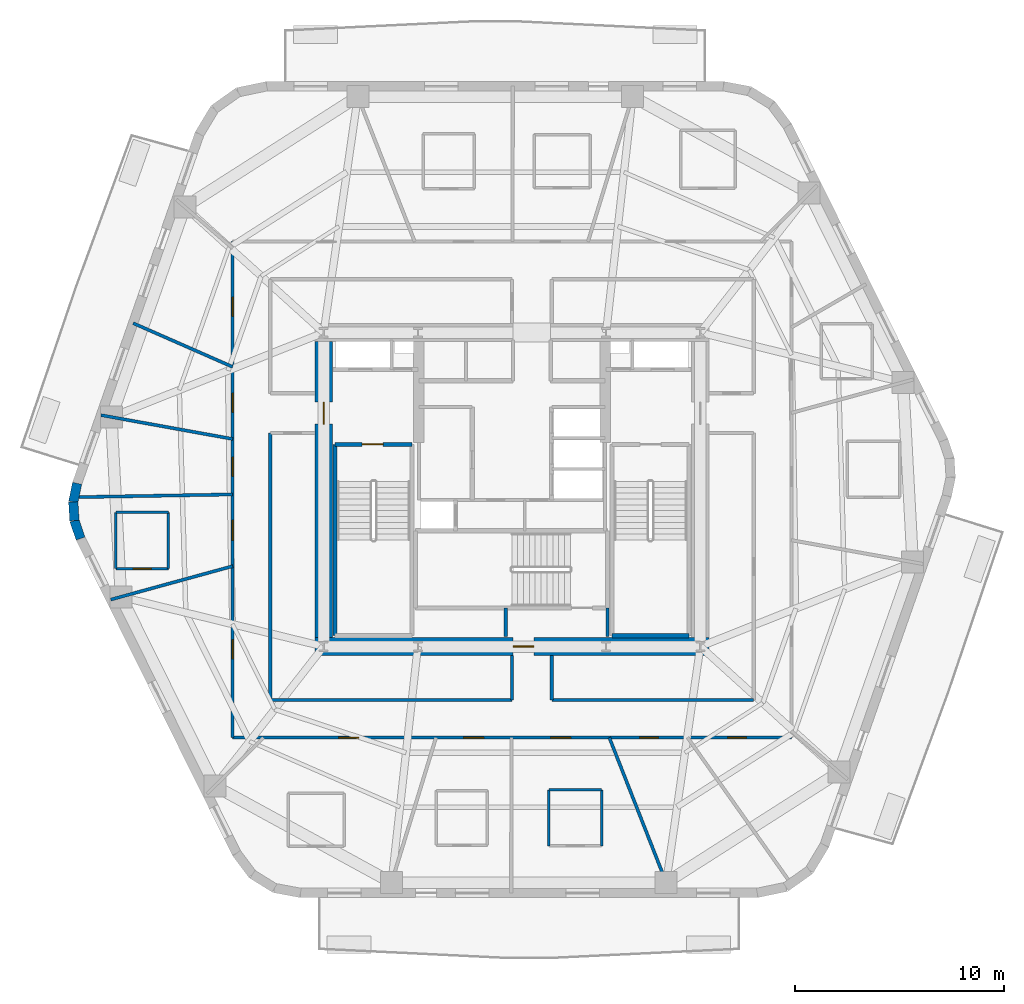
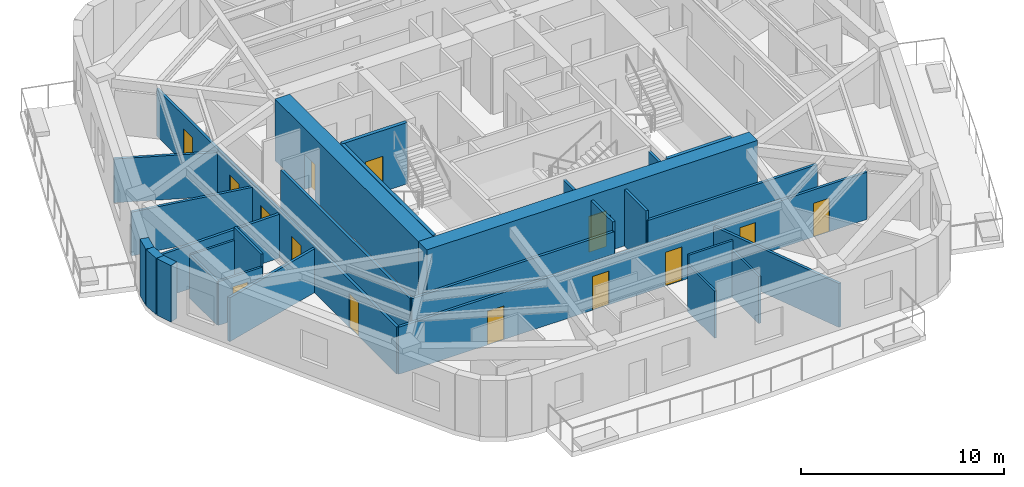
# One storey, part 3 of 11: 29 walls, 14 doors, 14 openings.
"""IFC4 building model written with IfcOpenShell, lengths in metres."""

from ifc_helpers import new_model, si_unit, direction, frame, frame_2d, origin, place, context, subcontext, project, spatial, rectangle, extrude, material, layer, layer_set, type_object, element, fill, save


model = new_model("IFC4")

# Units and contexts
model_context = context("Model", 3, precision=1e-05, world=origin(), true_north=direction((0.0, 1.0)))
body_context = subcontext(model_context, "Body", "Model", "MODEL_VIEW")
ifc_project = project(units=[si_unit("LENGTHUNIT", "METRE"), si_unit("AREAUNIT", "SQUARE_METRE"), si_unit("VOLUMEUNIT", "CUBIC_METRE"), si_unit("PLANEANGLEUNIT", "RADIAN"), si_unit("MASSUNIT", "GRAM", prefix="KILO")], contexts=[model_context])

# Site, building, storey
site_placement = place(None, origin())
site = spatial("IfcSite", under=ifc_project, at=site_placement, CompositionType="ELEMENT")
building_placement = place(site_placement, origin())
building = spatial("IfcBuilding", under=site, at=building_placement, Name="Kilnhurst Terrace Hotel", CompositionType="ELEMENT")
storey_placement = place(building_placement, frame((0.0, 0.0, 159.10009765625)))
storey = spatial("IfcBuildingStorey", under=building, at=storey_placement, Name="L39", CompositionType="ELEMENT", Elevation=159.10009765625)

# Walls
ifc_material_1 = material(Name="Precast concrete C40/50", Category="concrete")
ifc_layer_1 = layer(ifc_material_1, 0.449951171875, Name="Precast concrete C40/50")
ifc_layer_set_1 = layer_set([ifc_layer_1], Name="Precast concrete C40/50")
wall_type_1 = type_object("IfcWallType", Name="WL-BRK-450", PredefinedType="SOLIDWALL", material=ifc_layer_set_1)
wall_1_placement = place(storey_placement, frame((-20.78173828125, 0.298095703125, 0.0), z_axis=(0.0, 0.0, 1.0), x_axis=(-0.202570068411, -0.979267771033, 0.0)))
element("IfcWall", 1, at=wall_1_placement, inside=storey, type_object=wall_type_1, Name="L39 Rounded Corner Brick Wall C6.1", PredefinedType="SOLIDWALL", context=body_context, shape_type="SweptSolid", body=[
    extrude(rectangle(XDim=0.90869140625, YDim=0.449951171875, at=frame_2d((0.454345703125, 0.0))), origin(), (0.0, 0.0, 1.0), 3.39990234375),
])
wall_2_placement = place(storey_placement, frame((-20.9658203125, -0.591796875, 0.0), z_axis=(0.0, 0.0, 1.0), x_axis=(0.061748898935, -0.998091715966, 0.0)))
element("IfcWall", 2, at=wall_2_placement, inside=storey, type_object=wall_type_1, Name="L39 Rounded Corner Brick Wall C6.2", PredefinedType="SOLIDWALL", context=body_context, shape_type="SweptSolid", body=[
    extrude(rectangle(XDim=0.8935546875, YDim=0.449951171875, at=frame_2d((0.44677734375, 0.0))), origin(), (0.0, 0.0, 1.0), 3.39990234375),
])
wall_3_placement = place(storey_placement, frame((-20.91064453125, -1.483642578125, 0.0), z_axis=(0.0, 0.0, 1.0), x_axis=(0.321623334353, -0.946867694453, 0.0)))
element("IfcWall", 3, at=wall_3_placement, inside=storey, type_object=wall_type_1, Name="L39 Rounded Corner Brick Wall C6.3", PredefinedType="SOLIDWALL", context=body_context, shape_type="SweptSolid", body=[
    extrude(rectangle(XDim=0.90869140625, YDim=0.449951171875, at=frame_2d((0.454345703125, 0.0))), origin(), (0.0, 0.0, 1.0), 3.39990234375),
])

# Wall, openings, doors
ifc_material_2 = material(Name="Acoustic Double-Gypsum Corridor Partition Assembly")
ifc_layer_2 = layer(ifc_material_2, 0.14990234375, Name="Acoustic Double-Gypsum Corridor Partition Assembly")
ifc_layer_set_2 = layer_set([ifc_layer_2], Name="Acoustic Double-Gypsum Corridor Partition Assembly")
wall_type_2 = type_object("IfcWallType", Name="WL-COR-150", PredefinedType="PARTITIONING", material=ifc_layer_set_2)
wall_4_placement = place(storey_placement, frame((13.35009765625, -11.85009765625, 0.0), z_axis=(0.0, 0.0, 1.0), x_axis=(-1.0, 0.0, 0.0)))
wall_4 = element("IfcWall", 4, at=wall_4_placement, inside=storey, type_object=wall_type_2, Name="L39 Interior Wall WL-L39-COR-01", PredefinedType="PARTITIONING", context=body_context, shape_type="SweptSolid", body=[
    extrude(rectangle(XDim=26.7001953125, YDim=0.14990234375, at=frame_2d((13.35009765625, 0.0))), origin(), (0.0, 0.0, 1.0), 2.83984375),
])
opening_1_placement = place(wall_4_placement, frame((20.681884765625, 0.0, 0.0)))
opening_1 = element("IfcOpeningElement", 5, at=opening_1_placement, cuts=wall_4, Name="Opening D-60B", PredefinedType="OPENING", context=body_context, shape_type="SweptSolid", body=[
    extrude(rectangle(XDim=0.949951171875, YDim=2.030029296875, at=frame_2d((0.47509765625, 1.01513671875))), frame((0.0, 0.0849609375, 0.0), z_axis=(0.0, -1.0, 0.0), x_axis=(1.0, 0.0, 0.0)), (0.0, 0.0, 1.0), 0.169921875),
])
opening_2_placement = place(wall_4_placement, frame((14.7080078125, 0.0, 0.0)))
opening_2 = element("IfcOpeningElement", 6, at=opening_2_placement, cuts=wall_4, Name="Opening D-60B", PredefinedType="OPENING", context=body_context, shape_type="SweptSolid", body=[
    extrude(rectangle(XDim=0.949951171875, YDim=2.030029296875, at=frame_2d((0.47509765625, 1.01513671875))), frame((0.0, 0.0849609375, 0.0), z_axis=(0.0, -1.0, 0.0), x_axis=(1.0, 0.0, 0.0)), (0.0, 0.0, 1.0), 0.169921875),
])
opening_3_placement = place(wall_4_placement, frame((10.552978515625, 0.0, 0.0)))
opening_3 = element("IfcOpeningElement", 7, at=opening_3_placement, cuts=wall_4, Name="Opening D-60B", PredefinedType="OPENING", context=body_context, shape_type="SweptSolid", body=[
    extrude(rectangle(XDim=0.949951171875, YDim=2.030029296875, at=frame_2d((0.47509765625, 1.01513671875))), frame((0.0, 0.0849609375, 0.0), z_axis=(0.0, -1.0, 0.0), x_axis=(1.0, 0.0, 0.0)), (0.0, 0.0, 1.0), 0.169921875),
])
opening_4_placement = place(wall_4_placement, frame((6.35302734375, 0.0, 0.0)))
opening_4 = element("IfcOpeningElement", 8, at=opening_4_placement, cuts=wall_4, Name="Opening D-60C", PredefinedType="OPENING", context=body_context, shape_type="SweptSolid", body=[
    extrude(rectangle(XDim=0.89990234375, YDim=2.030029296875, at=frame_2d((0.449951171875, 1.01513671875))), frame((0.0, 0.0849609375, 0.0), z_axis=(0.0, -1.0, 0.0), x_axis=(1.0, 0.0, 0.0)), (0.0, 0.0, 1.0), 0.169921875),
])
opening_5_placement = place(wall_4_placement, frame((2.14990234375, 0.0, 0.0)))
opening_5 = element("IfcOpeningElement", 9, at=opening_5_placement, cuts=wall_4, Name="Opening D-60C", PredefinedType="OPENING", context=body_context, shape_type="SweptSolid", body=[
    extrude(rectangle(XDim=0.89990234375, YDim=2.030029296875, at=frame_2d((0.449951171875, 1.01513671875))), frame((0.0, 0.0849609375, 0.0), z_axis=(0.0, -1.0, 0.0), x_axis=(1.0, 0.0, 0.0)), (0.0, 0.0, 1.0), 0.169921875),
])
ifc_material_3 = material(Name="Painted Solid-Core Service Fire Door")
door_type_1 = type_object("IfcDoorType", Name="DR-FD60-900", OperationType="NOTDEFINED", PredefinedType="DOOR", material=ifc_material_3)
door_1_placement = place(opening_4_placement, origin())
door_1 = element("IfcDoor", 10, at=door_1_placement, inside=storey, type_object=door_type_1, Name="L39 Private Tasting Dining Room Door 15", OperationType="SINGLE_SWING_LEFT", OverallHeight=2.030029296875, OverallWidth=0.89990234375, PredefinedType="DOOR", context=body_context, shape_type="SweptSolid", body=[
    extrude(rectangle(XDim=0.89990234375, YDim=2.030029296875, at=frame_2d((0.449951171875, 1.01513671875))), frame((0.0, 0.02490234375, 0.0), z_axis=(0.0, -1.0, 0.0), x_axis=(1.0, 0.0, 0.0)), (0.0, 0.0, 1.0), 0.050048828125),
])
fill(opening_4, door_1)
door_2_placement = place(opening_5_placement, origin())
door_2 = element("IfcDoor", 11, at=door_2_placement, inside=storey, type_object=door_type_1, Name="L39 Private Study Salon Door 16", OperationType="SINGLE_SWING_RIGHT", OverallHeight=2.030029296875, OverallWidth=0.89990234375, PredefinedType="DOOR", context=body_context, shape_type="SweptSolid", body=[
    extrude(rectangle(XDim=0.89990234375, YDim=2.030029296875, at=frame_2d((0.449951171875, 1.01513671875))), frame((0.0, 0.02490234375, 0.0), z_axis=(0.0, -1.0, 0.0), x_axis=(1.0, 0.0, 0.0)), (0.0, 0.0, 1.0), 0.050048828125),
])
fill(opening_5, door_2)
ifc_material_4 = material(Name="Acoustic Walnut Veneer Solid-Core Fire Door")
door_type_2 = type_object("IfcDoorType", Name="DR-FD60-950", OperationType="NOTDEFINED", PredefinedType="DOOR", material=ifc_material_4)
door_3_placement = place(opening_1_placement, origin())
door_3 = element("IfcDoor", 12, at=door_3_placement, inside=storey, type_object=door_type_2, Name="L39 Guest Room Entry Door 12", OperationType="SINGLE_SWING_RIGHT", OverallHeight=2.030029296875, OverallWidth=0.949951171875, PredefinedType="DOOR", context=body_context, shape_type="SweptSolid", body=[
    extrude(rectangle(XDim=0.949951171875, YDim=2.030029296875, at=frame_2d((0.47509765625, 1.01513671875))), frame((0.0, 0.02490234375, 0.0), z_axis=(0.0, -1.0, 0.0), x_axis=(1.0, 0.0, 0.0)), (0.0, 0.0, 1.0), 0.050048828125),
])
fill(opening_1, door_3)
door_4_placement = place(opening_2_placement, origin())
door_4 = element("IfcDoor", 13, at=door_4_placement, inside=storey, type_object=door_type_2, Name="L39 Guest Room Entry Door 13", OperationType="SINGLE_SWING_LEFT", OverallHeight=2.030029296875, OverallWidth=0.949951171875, PredefinedType="DOOR", context=body_context, shape_type="SweptSolid", body=[
    extrude(rectangle(XDim=0.949951171875, YDim=2.030029296875, at=frame_2d((0.47509765625, 1.01513671875))), frame((0.0, 0.02490234375, 0.0), z_axis=(0.0, -1.0, 0.0), x_axis=(1.0, 0.0, 0.0)), (0.0, 0.0, 1.0), 0.050048828125),
])
fill(opening_2, door_4)
door_5_placement = place(opening_3_placement, origin())
door_5 = element("IfcDoor", 14, at=door_5_placement, inside=storey, type_object=door_type_2, Name="L39 Guest Room Entry Door 14", OperationType="SINGLE_SWING_RIGHT", OverallHeight=2.030029296875, OverallWidth=0.949951171875, PredefinedType="DOOR", context=body_context, shape_type="SweptSolid", body=[
    extrude(rectangle(XDim=0.949951171875, YDim=2.030029296875, at=frame_2d((0.47509765625, 1.01513671875))), frame((0.0, 0.02490234375, 0.0), z_axis=(0.0, -1.0, 0.0), x_axis=(1.0, 0.0, 0.0)), (0.0, 0.0, 1.0), 0.050048828125),
])
fill(opening_3, door_5)

wall_5_placement = place(storey_placement, frame((-13.35009765625, -11.85009765625, 0.0), z_axis=(0.0, 0.0, 1.0), x_axis=(0.0, 1.0, 0.0)))
wall_5 = element("IfcWall", 15, at=wall_5_placement, inside=storey, type_object=wall_type_2, Name="L39 Interior Wall WL-L39-COR-02", PredefinedType="PARTITIONING", context=body_context, shape_type="SweptSolid", body=[
    extrude(rectangle(XDim=23.7001953125, YDim=0.14990234375, at=frame_2d((11.85009765625, 0.0))), origin(), (0.0, 0.0, 1.0), 2.83984375),
])
opening_6_placement = place(wall_5_placement, frame((20.135986328125, 0.0, 0.0)))
opening_6 = element("IfcOpeningElement", 16, at=opening_6_placement, cuts=wall_5, Name="Opening D-60C", PredefinedType="OPENING", context=body_context, shape_type="SweptSolid", body=[
    extrude(rectangle(XDim=0.89990234375, YDim=2.030029296875, at=frame_2d((0.449951171875, 1.01513671875))), frame((0.0, 0.0849609375, 0.0), z_axis=(0.0, -1.0, 0.0), x_axis=(1.0, 0.0, 0.0)), (0.0, 0.0, 1.0), 0.169921875),
])
opening_7_placement = place(wall_5_placement, frame((15.551025390625, 0.0, 0.0)))
opening_7 = element("IfcOpeningElement", 17, at=opening_7_placement, cuts=wall_5, Name="Opening D-60C", PredefinedType="OPENING", context=body_context, shape_type="SweptSolid", body=[
    extrude(rectangle(XDim=0.89990234375, YDim=2.030029296875, at=frame_2d((0.449951171875, 1.01513671875))), frame((0.0, 0.0849609375, 0.0), z_axis=(0.0, -1.0, 0.0), x_axis=(1.0, 0.0, 0.0)), (0.0, 0.0, 1.0), 0.169921875),
])
opening_8_placement = place(wall_5_placement, frame((12.493896484375, 0.0, 0.0)))
opening_8 = element("IfcOpeningElement", 18, at=opening_8_placement, cuts=wall_5, Name="Opening D-60C", PredefinedType="OPENING", context=body_context, shape_type="SweptSolid", body=[
    extrude(rectangle(XDim=0.89990234375, YDim=2.030029296875, at=frame_2d((0.449951171875, 1.01513671875))), frame((0.0, 0.0849609375, 0.0), z_axis=(0.0, -1.0, 0.0), x_axis=(1.0, 0.0, 0.0)), (0.0, 0.0, 1.0), 0.169921875),
])
opening_9_placement = place(wall_5_placement, frame((9.424072265625, 0.0, 0.0)))
opening_9 = element("IfcOpeningElement", 19, at=opening_9_placement, cuts=wall_5, Name="Opening D-60B", PredefinedType="OPENING", context=body_context, shape_type="SweptSolid", body=[
    extrude(rectangle(XDim=0.949951171875, YDim=2.030029296875, at=frame_2d((0.47509765625, 1.01513671875))), frame((0.0, 0.0849609375, 0.0), z_axis=(0.0, -1.0, 0.0), x_axis=(1.0, 0.0, 0.0)), (0.0, 0.0, 1.0), 0.169921875),
])
opening_10_placement = place(wall_5_placement, frame((3.764892578125, 0.0, 0.0)))
opening_10 = element("IfcOpeningElement", 20, at=opening_10_placement, cuts=wall_5, Name="Opening D-60C", PredefinedType="OPENING", context=body_context, shape_type="SweptSolid", body=[
    extrude(rectangle(XDim=0.89990234375, YDim=2.030029296875, at=frame_2d((0.449951171875, 1.01513671875))), frame((0.0, 0.0849609375, 0.0), z_axis=(0.0, -1.0, 0.0), x_axis=(1.0, 0.0, 0.0)), (0.0, 0.0, 1.0), 0.169921875),
])
door_6_placement = place(opening_6_placement, origin())
door_6 = element("IfcDoor", 21, at=door_6_placement, inside=storey, type_object=door_type_1, Name="L39 Executive Work Office Door 7", OperationType="SINGLE_SWING_LEFT", OverallHeight=2.030029296875, OverallWidth=0.89990234375, PredefinedType="DOOR", context=body_context, shape_type="SweptSolid", body=[
    extrude(rectangle(XDim=0.89990234375, YDim=2.030029296875, at=frame_2d((0.449951171875, 1.01513671875))), frame((0.0, 0.02490234375, 0.0), z_axis=(0.0, -1.0, 0.0), x_axis=(1.0, 0.0, 0.0)), (0.0, 0.0, 1.0), 0.050048828125),
])
fill(opening_6, door_6)
door_7_placement = place(opening_7_placement, origin())
door_7 = element("IfcDoor", 22, at=door_7_placement, inside=storey, type_object=door_type_1, Name="L39 Botanical Reading Lounge Door 8", OperationType="SINGLE_SWING_RIGHT", OverallHeight=2.030029296875, OverallWidth=0.89990234375, PredefinedType="DOOR", context=body_context, shape_type="SweptSolid", body=[
    extrude(rectangle(XDim=0.89990234375, YDim=2.030029296875, at=frame_2d((0.449951171875, 1.01513671875))), frame((0.0, 0.02490234375, 0.0), z_axis=(0.0, -1.0, 0.0), x_axis=(1.0, 0.0, 0.0)), (0.0, 0.0, 1.0), 0.050048828125),
])
fill(opening_7, door_7)
door_8_placement = place(opening_8_placement, origin())
door_8 = element("IfcDoor", 23, at=door_8_placement, inside=storey, type_object=door_type_1, Name="L39 Private Meeting Salon Door 9", OperationType="SINGLE_SWING_LEFT", OverallHeight=2.030029296875, OverallWidth=0.89990234375, PredefinedType="DOOR", context=body_context, shape_type="SweptSolid", body=[
    extrude(rectangle(XDim=0.89990234375, YDim=2.030029296875, at=frame_2d((0.449951171875, 1.01513671875))), frame((0.0, 0.02490234375, 0.0), z_axis=(0.0, -1.0, 0.0), x_axis=(1.0, 0.0, 0.0)), (0.0, 0.0, 1.0), 0.050048828125),
])
fill(opening_8, door_8)
door_9_placement = place(opening_10_placement, origin())
door_9 = element("IfcDoor", 24, at=door_9_placement, inside=storey, type_object=door_type_1, Name="L39 Wellness Consultation Room Door 11", OperationType="SINGLE_SWING_LEFT", OverallHeight=2.030029296875, OverallWidth=0.89990234375, PredefinedType="DOOR", context=body_context, shape_type="SweptSolid", body=[
    extrude(rectangle(XDim=0.89990234375, YDim=2.030029296875, at=frame_2d((0.449951171875, 1.01513671875))), frame((0.0, 0.02490234375, 0.0), z_axis=(0.0, -1.0, 0.0), x_axis=(1.0, 0.0, 0.0)), (0.0, 0.0, 1.0), 0.050048828125),
])
fill(opening_10, door_9)
door_10_placement = place(opening_9_placement, origin())
door_10 = element("IfcDoor", 25, at=door_10_placement, inside=storey, type_object=door_type_2, Name="L39 Guest Room Entry Door 10", OperationType="SINGLE_SWING_RIGHT", OverallHeight=2.030029296875, OverallWidth=0.949951171875, PredefinedType="DOOR", context=body_context, shape_type="SweptSolid", body=[
    extrude(rectangle(XDim=0.949951171875, YDim=2.030029296875, at=frame_2d((0.47509765625, 1.01513671875))), frame((0.0, 0.02490234375, 0.0), z_axis=(0.0, -1.0, 0.0), x_axis=(1.0, 0.0, 0.0)), (0.0, 0.0, 1.0), 0.050048828125),
])
fill(opening_9, door_10)

# Walls
wall_6_placement = place(storey_placement, frame((-11.550048828125, 2.699951171875, 0.0), z_axis=(0.0, 0.0, 1.0), x_axis=(0.0, -1.0, 0.0)))
element("IfcWall", 26, at=wall_6_placement, inside=storey, type_object=wall_type_2, Name="L39 Interior Wall WL-L39-COR-16", PredefinedType="PARTITIONING", context=body_context, shape_type="SweptSolid", body=[
    extrude(rectangle(XDim=12.75, YDim=0.14990234375, at=frame_2d((6.375, 0.0))), origin(), (0.0, 0.0, 1.0), 2.83984375),
])
wall_7_placement = place(storey_placement, frame((-11.550048828125, -10.050048828125, 0.0), z_axis=(0.0, 0.0, 1.0), x_axis=(1.0, 0.0, 0.0)))
element("IfcWall", 27, at=wall_7_placement, inside=storey, type_object=wall_type_2, Name="L39 Interior Wall WL-L39-COR-17", PredefinedType="PARTITIONING", context=body_context, shape_type="SweptSolid", body=[
    extrude(rectangle(XDim=11.550048828125, YDim=0.14990234375, at=frame_2d((5.77490234375, 0.0))), origin(), (0.0, 0.0, 1.0), 2.83984375),
])
for number, where, z_axis, x_axis, name in (
    (28, (0.0, -10.050048828125, 0.0), (0.0, 0.0, 1.0), (0.0, 1.0, 0.0), "L39 Interior Wall WL-L39-COR-18"),
    (29, (1.89990234375, -7.925048828125, 0.0), (0.0, 0.0, 1.0), (0.0, -1.0, 0.0), "L39 Interior Wall WL-L39-COR-19"),
):
    element("IfcWall", number, at=place(storey_placement, frame(where, z_axis=z_axis, x_axis=x_axis)), inside=storey, type_object=wall_type_2, Name=name, PredefinedType="PARTITIONING", context=body_context, shape_type="SweptSolid", body=[
        extrude(rectangle(XDim=2.125, YDim=0.14990234375, at=frame_2d((1.0625, 0.0))), origin(), (0.0, 0.0, 1.0), 3.39990234375),
    ])
wall_8_placement = place(storey_placement, frame((1.89990234375, -10.050048828125, 0.0), z_axis=(0.0, 0.0, 1.0), x_axis=(1.0, 0.0, 0.0)))
element("IfcWall", 30, at=wall_8_placement, inside=storey, type_object=wall_type_2, Name="L39 Interior Wall WL-L39-COR-20", PredefinedType="PARTITIONING", context=body_context, shape_type="SweptSolid", body=[
    extrude(rectangle(XDim=9.650146484375, YDim=0.14990234375, at=frame_2d((4.8251953125, 0.0))), origin(), (0.0, 0.0, 1.0), 2.83984375),
])

# Wall, opening, door
ifc_material_5 = material(Name="Concrete C80/95", Category="concrete")
ifc_layer_3 = layer(ifc_material_5, 0.85009765625, Name="Concrete C80/95")
ifc_layer_set_3 = layer_set([ifc_layer_3], Name="Concrete C80/95")
wall_type_3 = type_object("IfcWallType", Name="WL-CORE-850", PredefinedType="SHEAR", material=ifc_layer_set_3)
wall_9_placement = place(storey_placement, frame((-9.425048828125, -7.5, 0.0), z_axis=(0.0, 0.0, 1.0), x_axis=(1.0, 0.0, 0.0)))
wall_9 = element("IfcWall", 31, at=wall_9_placement, inside=storey, type_object=wall_type_3, Name="L39 Core South Shear Wall", PredefinedType="SHEAR", context=body_context, shape_type="SweptSolid", body=[
    extrude(rectangle(XDim=18.85009765625, YDim=0.85009765625, at=frame_2d((9.425048828125, 0.0))), origin(), (0.0, 0.0, 1.0), 3.699951171875),
])
opening_11_placement = place(wall_9_placement, frame((9.47509765625, 0.0, 0.0)))
opening_11 = element("IfcOpeningElement", 32, at=opening_11_placement, cuts=wall_9, Name="Opening D-90B", PredefinedType="OPENING", context=body_context, shape_type="SweptSolid", body=[
    extrude(rectangle(XDim=1.0, YDim=2.14990234375, at=frame_2d((0.5, 1.074951171875))), frame((0.0, 0.43505859375, 0.0), z_axis=(0.0, -1.0, 0.0), x_axis=(1.0, 0.0, 0.0)), (0.0, 0.0, 1.0), 0.8701171875),
])
ifc_material_6 = material(Name="Painted Hollow Metal Steel ASTM A36 Fire Door", Category="steel")
door_type_3 = type_object("IfcDoorType", Name="DR-FD90-1000", OperationType="NOTDEFINED", PredefinedType="DOOR", material=ifc_material_6)
door_11_placement = place(opening_11_placement, origin())
door_11 = element("IfcDoor", 33, at=door_11_placement, inside=storey, type_object=door_type_3, Name="L39 Stair ST-3 Corridor Door", OperationType="SINGLE_SWING_RIGHT", OverallHeight=2.14990234375, OverallWidth=1.0, PredefinedType="DOOR", context=body_context, shape_type="SweptSolid", body=[
    extrude(rectangle(XDim=1.0, YDim=2.14990234375, at=frame_2d((0.5, 1.074951171875))), frame((0.0, 0.02490234375, 0.0), z_axis=(0.0, -1.0, 0.0), x_axis=(1.0, 0.0, 0.0)), (0.0, 0.0, 1.0), 0.050048828125),
])
fill(opening_11, door_11)

wall_10_placement = place(storey_placement, frame((-9.0, -7.074951171875, 0.0), z_axis=(0.0, 0.0, 1.0), x_axis=(0.0, 1.0, 0.0)))
wall_10 = element("IfcWall", 34, at=wall_10_placement, inside=storey, type_object=wall_type_3, Name="L39 Core West Shear Wall", PredefinedType="SHEAR", context=body_context, shape_type="SweptSolid", body=[
    extrude(rectangle(XDim=14.14990234375, YDim=0.85009765625, at=frame_2d((7.074951171875, 0.0))), origin(), (0.0, 0.0, 1.0), 3.699951171875),
])
opening_12_placement = place(wall_10_placement, frame((10.199951171875, 0.0, 0.0)))
opening_12 = element("IfcOpeningElement", 35, at=opening_12_placement, cuts=wall_10, Name="Opening D-90A", PredefinedType="OPENING", context=body_context, shape_type="SweptSolid", body=[
    extrude(rectangle(XDim=1.050048828125, YDim=2.14990234375, at=frame_2d((0.52490234375, 1.074951171875))), frame((0.0, 0.43505859375, 0.0), z_axis=(0.0, -1.0, 0.0), x_axis=(1.0, 0.0, 0.0)), (0.0, 0.0, 1.0), 0.8701171875),
])
door_type_4 = type_object("IfcDoorType", Name="DR-FD90-1050", OperationType="NOTDEFINED", PredefinedType="DOOR", material=ifc_material_6)
door_12_placement = place(opening_12_placement, origin())
door_12 = element("IfcDoor", 36, at=door_12_placement, inside=storey, type_object=door_type_4, Name="L39 West Firefighting Lobby Door", OperationType="SINGLE_SWING_RIGHT", OverallHeight=2.14990234375, OverallWidth=1.050048828125, PredefinedType="DOOR", context=body_context, shape_type="SweptSolid", body=[
    extrude(rectangle(XDim=1.050048828125, YDim=2.14990234375, at=frame_2d((0.52490234375, 1.074951171875))), frame((0.0, 0.02490234375, 0.0), z_axis=(0.0, -1.0, 0.0), x_axis=(1.0, 0.0, 0.0)), (0.0, 0.0, 1.0), 0.050048828125),
])
fill(opening_12, door_12)

# Walls
ifc_material_7 = material(Name="STC-58 Acoustic Twin-Frame Guestroom Demising Partition")
ifc_layer_4 = layer(ifc_material_7, 0.14990234375, Name="STC-58 Acoustic Twin-Frame Guestroom Demising Partition")
ifc_layer_set_4 = layer_set([ifc_layer_4], Name="STC-58 Acoustic Twin-Frame Guestroom Demising Partition")
wall_type_4 = type_object("IfcWallType", Name="WL-DEM-150", PredefinedType="PARTITIONING", material=ifc_layer_set_4)
wall_11_placement = place(storey_placement, frame((-13.35009765625, 5.86279296875, 0.0), z_axis=(0.0, 0.0, 1.0), x_axis=(-0.9155832175, 0.402128551376, 0.0)))
element("IfcWall", 37, at=wall_11_placement, inside=storey, type_object=wall_type_4, Name="L39 Interior Wall WL-L39-DEM-MID05-08-1", PredefinedType="PARTITIONING", context=body_context, shape_type="SweptSolid", body=[
    extrude(rectangle(XDim=5.19091796875, YDim=0.14990234375, at=frame_2d((2.595458984375, 0.0))), origin(), (0.0, 0.0, 1.0), 2.639892578125),
])
wall_12_placement = place(storey_placement, frame((-13.35009765625, 2.417236328125, 0.0), z_axis=(0.0, 0.0, 1.0), x_axis=(-0.98399796473, 0.178179699761, 0.0)))
element("IfcWall", 38, at=wall_12_placement, inside=storey, type_object=wall_type_4, Name="L39 Interior Wall WL-L39-DEM-COL06-09-1", PredefinedType="PARTITIONING", context=body_context, shape_type="SweptSolid", body=[
    extrude(rectangle(XDim=6.393310546875, YDim=0.14990234375, at=frame_2d((3.19677734375, 0.0))), origin(), (0.0, 0.0, 1.0), 2.639892578125),
])
wall_13_placement = place(storey_placement, frame((-13.35009765625, -0.23291015625, 0.0), z_axis=(0.0, 0.0, 1.0), x_axis=(-0.999847932133, -0.017438824797, 0.0)))
element("IfcWall", 39, at=wall_13_placement, inside=storey, type_object=wall_type_4, Name="L39 Interior Wall WL-L39-DEM-MID06-10-1", PredefinedType="PARTITIONING", context=body_context, shape_type="SweptSolid", body=[
    extrude(rectangle(XDim=7.406005859375, YDim=0.14990234375, at=frame_2d((3.703125, 0.0))), origin(), (0.0, 0.0, 1.0), 2.639892578125),
])
wall_14_placement = place(storey_placement, frame((-13.35009765625, -3.66064453125, 0.0), z_axis=(0.0, 0.0, 1.0), x_axis=(-0.964397145454, -0.264458211898, 0.0)))
element("IfcWall", 40, at=wall_14_placement, inside=storey, type_object=wall_type_4, Name="L39 Interior Wall WL-L39-DEM-COL07-11-1", PredefinedType="PARTITIONING", context=body_context, shape_type="SweptSolid", body=[
    extrude(rectangle(XDim=6.03857421875, YDim=0.14990234375, at=frame_2d((3.019287109375, 0.0))), origin(), (0.0, 0.0, 1.0), 2.639892578125),
])
wall_15_placement = place(storey_placement, frame((4.64990234375, -11.85009765625, 0.0), z_axis=(0.0, 0.0, 1.0), x_axis=(0.365265947993, -0.930903210456, 0.0)))
element("IfcWall", 41, at=wall_15_placement, inside=storey, type_object=wall_type_4, Name="L39 Interior Wall WL-L39-DEM-COL10-15-1", PredefinedType="PARTITIONING", context=body_context, shape_type="SweptSolid", body=[
    extrude(rectangle(XDim=7.975830078125, YDim=0.14990234375, at=frame_2d((3.98779296875, 0.0))), origin(), (0.0, 0.0, 1.0), 2.639892578125),
])

# Wall, opening, door
ifc_material_8 = material(Name="120 mm Moisture-Resistant Tile-Backed Bathroom Partition")
ifc_layer_5 = layer(ifc_material_8, 0.1201171875, Name="120 mm Moisture-Resistant Tile-Backed Bathroom Partition")
ifc_layer_set_5 = layer_set([ifc_layer_5], Name="120 mm Moisture-Resistant Tile-Backed Bathroom Partition")
wall_type_5 = type_object("IfcWallType", Name="WL-PART-120", PredefinedType="PARTITIONING", material=ifc_layer_set_5)
wall_16_placement = place(storey_placement, frame((-18.93603515625, -3.77392578125, 0.0), z_axis=(0.0, 0.0, 1.0), x_axis=(1.0, 0.0, 0.0)))
wall_16 = element("IfcWall", 42, at=wall_16_placement, inside=storey, type_object=wall_type_5, Name="L39 Interior Wall WL-L39-BTH-10-1", PredefinedType="PARTITIONING", context=body_context, shape_type="SweptSolid", body=[
    extrude(rectangle(XDim=2.52001953125, YDim=0.1201171875, at=frame_2d((1.260009765625, 0.0))), origin(), (0.0, 0.0, 1.0), 2.639892578125),
])
opening_13_placement = place(wall_16_placement, frame((0.8349609375, 0.0, 0.0)))
opening_13 = element("IfcOpeningElement", 43, at=opening_13_placement, cuts=wall_16, Name="Opening D-08A", PredefinedType="OPENING", context=body_context, shape_type="SweptSolid", body=[
    extrude(rectangle(XDim=0.85009765625, YDim=2.030029296875, at=frame_2d((0.425048828125, 1.01513671875))), frame((0.0, 0.070068359375, 0.0), z_axis=(0.0, -1.0, 0.0), x_axis=(1.0, 0.0, 0.0)), (0.0, 0.0, 1.0), 0.14013671875),
])
ifc_material_9 = material(Name="Moisture-Resistant Lacquered En-suite Bathroom Door")
door_type_5 = type_object("IfcDoorType", Name="DR-INT-850", OperationType="NOTDEFINED", PredefinedType="DOOR", material=ifc_material_9)
door_13_placement = place(opening_13_placement, origin())
door_13 = element("IfcDoor", 44, at=door_13_placement, inside=storey, type_object=door_type_5, Name="L39 En-suite Bathroom Door 10", OperationType="SINGLE_SWING_RIGHT", OverallHeight=2.030029296875, OverallWidth=0.85009765625, PredefinedType="DOOR", context=body_context, shape_type="SweptSolid", body=[
    extrude(rectangle(XDim=0.85009765625, YDim=2.030029296875, at=frame_2d((0.425048828125, 1.01513671875))), frame((0.0, 0.02490234375, 0.0), z_axis=(0.0, -1.0, 0.0), x_axis=(1.0, 0.0, 0.0)), (0.0, 0.0, 1.0), 0.050048828125),
])
fill(opening_13, door_13)

# Walls
wall_17_placement = place(storey_placement, frame((-16.416015625, -3.77392578125, 0.0), z_axis=(0.0, 0.0, 1.0), x_axis=(0.0, 1.0, 0.0)))
element("IfcWall", 45, at=wall_17_placement, inside=storey, type_object=wall_type_5, Name="L39 Interior Wall WL-L39-BTH-10-2", PredefinedType="PARTITIONING", context=body_context, shape_type="SweptSolid", body=[
    extrude(rectangle(XDim=2.679931640625, YDim=0.1201171875, at=frame_2d((1.33984375, 0.0))), origin(), (0.0, 0.0, 1.0), 3.39990234375),
])
wall_18_placement = place(storey_placement, frame((-16.416015625, -1.093994140625, 0.0), z_axis=(0.0, 0.0, 1.0), x_axis=(-1.0, 0.0, 0.0)))
element("IfcWall", 46, at=wall_18_placement, inside=storey, type_object=wall_type_5, Name="L39 Interior Wall WL-L39-BTH-10-3", PredefinedType="PARTITIONING", context=body_context, shape_type="SweptSolid", body=[
    extrude(rectangle(XDim=2.52001953125, YDim=0.1201171875, at=frame_2d((1.260009765625, 0.0))), origin(), (0.0, 0.0, 1.0), 2.639892578125),
])
wall_19_placement = place(storey_placement, frame((-18.93603515625, -1.093994140625, 0.0), z_axis=(0.0, 0.0, 1.0), x_axis=(0.0, -1.0, 0.0)))
element("IfcWall", 47, at=wall_19_placement, inside=storey, type_object=wall_type_5, Name="L39 Interior Wall WL-L39-BTH-10-4", PredefinedType="PARTITIONING", context=body_context, shape_type="SweptSolid", body=[
    extrude(rectangle(XDim=2.679931640625, YDim=0.1201171875, at=frame_2d((1.33984375, 0.0))), origin(), (0.0, 0.0, 1.0), 2.639892578125),
])
wall_20_placement = place(storey_placement, frame((4.282958984375, -17.028076171875, 0.0), z_axis=(0.0, 0.0, 1.0), x_axis=(0.0, 1.0, 0.0)))
element("IfcWall", 48, at=wall_20_placement, inside=storey, type_object=wall_type_5, Name="L39 Interior Wall WL-L39-BTH-14-2", PredefinedType="PARTITIONING", context=body_context, shape_type="SweptSolid", body=[
    extrude(rectangle(XDim=2.68017578125, YDim=0.1201171875, at=frame_2d((1.340087890625, 0.0))), origin(), (0.0, 0.0, 1.0), 2.84033203125),
])
wall_21_placement = place(storey_placement, frame((4.282958984375, -14.347900390625, 0.0), z_axis=(0.0, 0.0, 1.0), x_axis=(-1.0, 0.0, 0.0)))
element("IfcWall", 49, at=wall_21_placement, inside=storey, type_object=wall_type_5, Name="L39 Interior Wall WL-L39-BTH-14-3", PredefinedType="PARTITIONING", context=body_context, shape_type="SweptSolid", body=[
    extrude(rectangle(XDim=2.52001953125, YDim=0.1201171875, at=frame_2d((1.260009765625, 0.0))), origin(), (0.0, 0.0, 1.0), 3.39990234375),
])
wall_22_placement = place(storey_placement, frame((1.762939453125, -14.347900390625, 0.0), z_axis=(0.0, 0.0, 1.0), x_axis=(0.0, -1.0, 0.0)))
element("IfcWall", 50, at=wall_22_placement, inside=storey, type_object=wall_type_5, Name="L39 Interior Wall WL-L39-BTH-14-4", PredefinedType="PARTITIONING", context=body_context, shape_type="SweptSolid", body=[
    extrude(rectangle(XDim=2.68017578125, YDim=0.1201171875, at=frame_2d((1.340087890625, 0.0))), origin(), (0.0, 0.0, 1.0), 2.84033203125),
])
ifc_material_10 = material(Name="Fire-Rated Gypsum Shaftliner Assembly")
ifc_layer_6 = layer(ifc_material_10, 0.14990234375, Name="Fire-Rated Gypsum Shaftliner Assembly")
ifc_layer_set_6 = layer_set([ifc_layer_6], Name="Fire-Rated Gypsum Shaftliner Assembly")
wall_type_6 = type_object("IfcWallType", Name="WL-SHAFT-150", PredefinedType="PARTITIONING", material=ifc_layer_set_6)
for number, where, z_axis, x_axis, name in (
    (51, (-0.300048828125, -7.02001953125, 0.0), (0.0, 0.0, 1.0), (0.0, 1.0, 0.0), "L39 Interior Wall WL-L39-ST3-PSGW"),
    (52, (4.55810546875, -7.02001953125, 0.0), (0.0, 0.0, 1.0), (0.0, 1.0, 0.0), "L39 Interior Wall WL-L39-ST3-PSGE"),
):
    element("IfcWall", number, at=place(storey_placement, frame(where, z_axis=z_axis, x_axis=x_axis)), inside=storey, type_object=wall_type_6, Name=name, PredefinedType="PARTITIONING", context=body_context, shape_type="SweptSolid", body=[
        extrude(rectangle(XDim=1.362060546875, YDim=0.14990234375, at=frame_2d((0.68115234375, 0.0))), origin(), (0.0, 0.0, 1.0), 3.39990234375),
    ])
ifc_material_11 = material(Name="Concrete C50/60", Category="concrete")
ifc_layer_7 = layer(ifc_material_11, 0.199951171875, Name="Concrete C50/60")
ifc_layer_set_7 = layer_set([ifc_layer_7], Name="Concrete C50/60")
wall_type_7 = type_object("IfcWallType", Name="WL-STAIR-RC-200", PredefinedType="SHEAR", material=ifc_layer_set_7)
wall_23_placement = place(storey_placement, frame((-8.4580078125, -6.985107421875, 0.0), z_axis=(0.0, 0.0, 1.0), x_axis=(0.0, 1.0, 0.0)))
element("IfcWall", 53, at=wall_23_placement, inside=storey, type_object=wall_type_7, Name="L39 Structural Stair Shaft Wall WL-L39-ST1-W", PredefinedType="SHEAR", context=body_context, shape_type="SweptSolid", body=[
    extrude(rectangle(XDim=9.14306640625, YDim=0.199951171875, at=frame_2d((4.571533203125, 0.0))), origin(), (0.0, 0.0, 1.0), 3.699951171875),
])

# Wall, opening, door
wall_24_placement = place(storey_placement, frame((-8.4580078125, 2.157958984375, 0.0), z_axis=(0.0, 0.0, 1.0), x_axis=(1.0, 0.0, 0.0)))
wall_24 = element("IfcWall", 54, at=wall_24_placement, inside=storey, type_object=wall_type_7, Name="L39 Structural Stair Shaft Wall WL-L39-ST1-N", PredefinedType="SHEAR", context=body_context, shape_type="SweptSolid", body=[
    extrude(rectangle(XDim=3.68603515625, YDim=0.199951171875, at=frame_2d((1.843017578125, 0.0))), origin(), (0.0, 0.0, 1.0), 3.699951171875),
])
opening_14_placement = place(wall_24_placement, frame((1.300048828125, 0.0, 0.0)))
opening_14 = element("IfcOpeningElement", 55, at=opening_14_placement, cuts=wall_24, Name="Opening D-90B", PredefinedType="OPENING", context=body_context, shape_type="SweptSolid", body=[
    extrude(rectangle(XDim=1.0, YDim=2.14990234375, at=frame_2d((0.5, 1.074951171875))), frame((0.0, 0.10986328125, 0.0), z_axis=(0.0, -1.0, 0.0), x_axis=(1.0, 0.0, 0.0)), (0.0, 0.0, 1.0), 0.219970703125),
])
door_14_placement = place(opening_14_placement, origin())
door_14 = element("IfcDoor", 56, at=door_14_placement, inside=storey, type_object=door_type_3, Name="L39 Stair ST-1 Door", OperationType="SINGLE_SWING_LEFT", OverallHeight=2.14990234375, OverallWidth=1.0, PredefinedType="DOOR", context=body_context, shape_type="SweptSolid", body=[
    extrude(rectangle(XDim=1.0, YDim=2.14990234375, at=frame_2d((0.5, 1.074951171875))), frame((0.0, 0.02490234375, 0.0), z_axis=(0.0, -1.0, 0.0), x_axis=(1.0, 0.0, 0.0)), (0.0, 0.0, 1.0), 0.050048828125),
])
fill(opening_14, door_14)

# Wall
wall_25_placement = place(storey_placement, frame((4.77197265625, -6.985107421875, 0.0), z_axis=(0.0, 0.0, 1.0), x_axis=(1.0, 0.0, 0.0)))
element("IfcWall", 57, at=wall_25_placement, inside=storey, type_object=wall_type_7, Name="L39 Structural Stair Shaft Wall WL-L39-ST2-S", PredefinedType="SHEAR", context=body_context, shape_type="SweptSolid", body=[
    extrude(rectangle(XDim=3.68603515625, YDim=0.199951171875, at=frame_2d((1.843017578125, 0.0))), origin(), (0.0, 0.0, 1.0), 3.699951171875),
])

save(model, "model.ifc")
